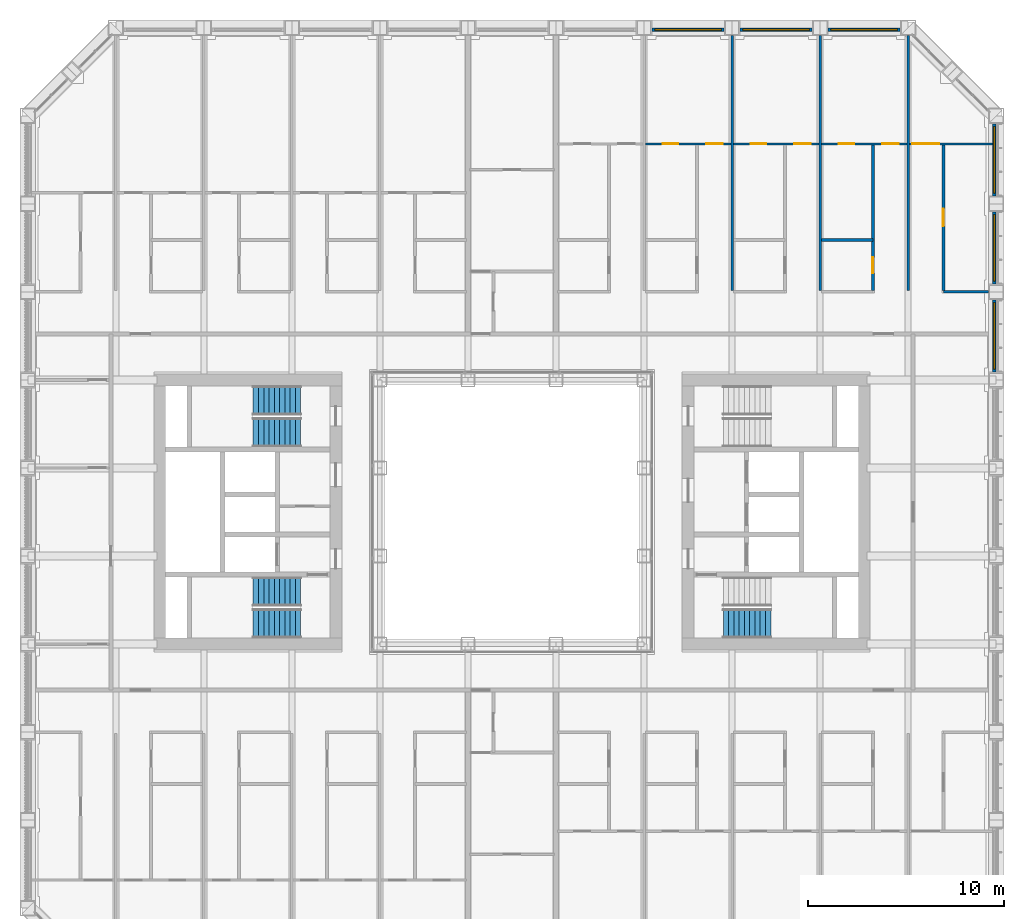
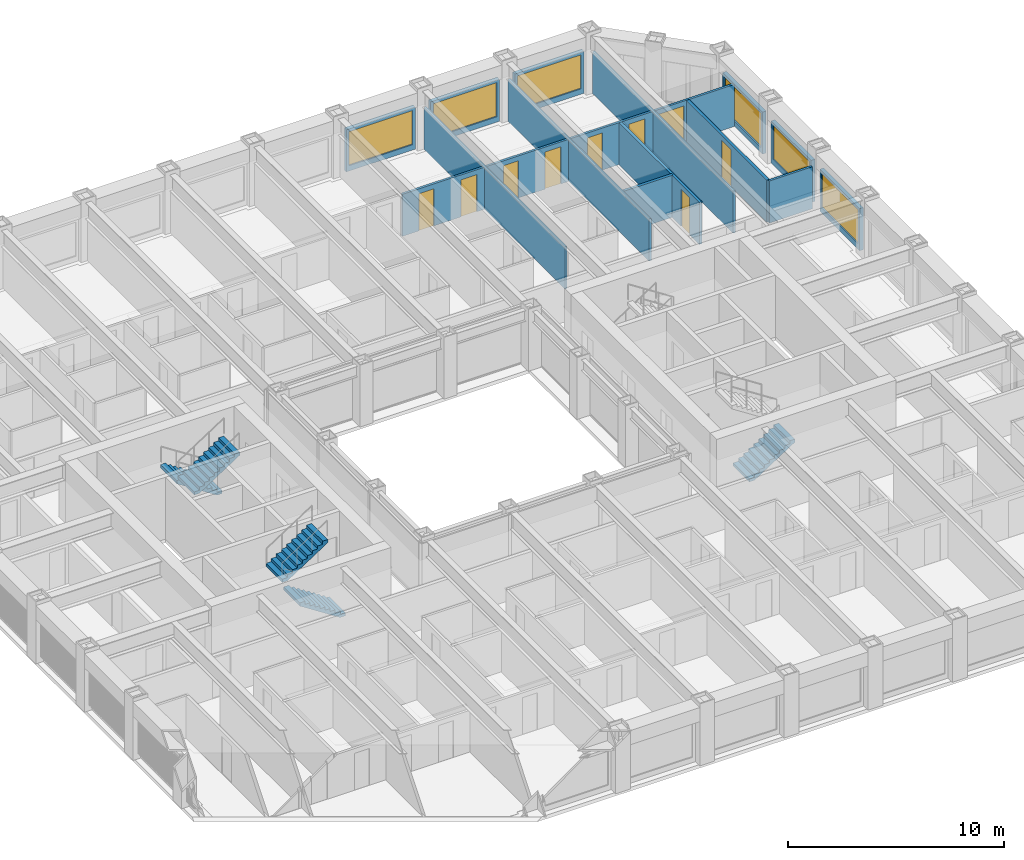
# One storey, part 15 of 21: 17 walls, 9 doors, 6 windows, 5 stair flights, 15 openings, 3 elements without a shape of their own.
"""IFC4 building model written with IfcOpenShell, lengths in metres."""

from ifc_helpers import new_model, si_unit, direction, frame, frame_2d, origin, place, context, subcontext, project, spatial, polyline, rectangle, outline, extrude, material, layer, layer_set, type_object, element, fill, aggregate, save


model = new_model("IFC4")

# Units and contexts
model_context = context("Model", 3, precision=1e-05, world=origin(), true_north=direction((0.0, 1.0)))
body_context = subcontext(model_context, "Body", "Model", "MODEL_VIEW")
ifc_project = project(units=[si_unit("LENGTHUNIT", "METRE"), si_unit("AREAUNIT", "SQUARE_METRE"), si_unit("VOLUMEUNIT", "CUBIC_METRE"), si_unit("PLANEANGLEUNIT", "RADIAN"), si_unit("MASSUNIT", "GRAM", prefix="KILO")], contexts=[model_context])

# Site, building, storey
site_placement = place(None, origin())
site = spatial("IfcSite", under=ifc_project, at=site_placement, CompositionType="ELEMENT")
building_placement = place(site_placement, origin())
building = spatial("IfcBuilding", under=site, at=building_placement, Name="Msasa Ring Tower", CompositionType="ELEMENT")
storey_placement = place(building_placement, frame((0.0, 0.0, 100.0)))
storey = spatial("IfcBuildingStorey", under=building, at=storey_placement, Name="L26", CompositionType="ELEMENT", Elevation=100.0)

# Wall, opening, window
ifc_material_1 = material(Name="Terracotta rainscreen on blockwork", Category="masonry")
ifc_layer_1 = layer(ifc_material_1, 0.199951171875)
ifc_layer_set_1 = layer_set([ifc_layer_1], Name="FW1 TERRACOTTA-LINED INFILL BAY WALL 200")
wall_type_1 = type_object("IfcWallType", Name="FW1 TERRACOTTA-LINED INFILL BAY WALL 200", PredefinedType="SOLIDWALL", material=ifc_layer_set_1)
wall_1_placement = place(storey_placement, frame((24.64990234375, 7.155029296875, 0.0), z_axis=(0.0, 0.0, 1.0), x_axis=(0.0, 1.0, 0.0)))
wall_1 = element("IfcWall", 1, at=wall_1_placement, inside=storey, type_object=wall_type_1, Name="Infill bay wall E L26 17", PredefinedType="SOLIDWALL", context=body_context, shape_type="SweptSolid", body=[
    extrude(rectangle(XDim=3.68994140625, YDim=0.199951171875, at=frame_2d((1.844970703125, 0.0))), origin(), (0.0, 0.0, 1.0), 2.37890625),
])
opening_1_placement = place(wall_1_placement, frame((0.14501953125, 0.0, 0.300048828125)))
opening_1 = element("IfcOpeningElement", 2, at=opening_1_placement, cuts=wall_1, Name="Opening WN1", PredefinedType="OPENING", context=body_context, shape_type="SweptSolid", body=[
    extrude(rectangle(XDim=3.39990234375, YDim=1.928955078125, at=frame_2d((1.699951171875, 0.96435546875))), frame((0.0, 0.10986328125, 0.0), z_axis=(0.0, -1.0, 0.0), x_axis=(1.0, 0.0, 0.0)), (0.0, 0.0, 1.0), 0.219970703125),
])
ifc_material_2 = material(Name="Aluminium frame with clear glass", Category="aluminium")
window_type = type_object("IfcWindowType", Name="WN1 RESIDENCE WINDOW 3400x1929", PartitioningType="SINGLE_PANEL", PredefinedType="WINDOW", material=ifc_material_2)
window_1_placement = place(opening_1_placement, origin())
window_1 = element("IfcWindow", 3, at=window_1_placement, inside=storey, type_object=window_type, Name="Window E L26 17", OverallHeight=1.928955078125, OverallWidth=3.39990234375, PartitioningType="SINGLE_PANEL", PredefinedType="WINDOW", context=body_context, shape_type="SweptSolid", body=[
    extrude(rectangle(XDim=3.39990234375, YDim=1.928955078125, at=frame_2d((1.699951171875, 0.96435546875))), frame((0.0, 0.030029296875, 0.0), z_axis=(0.0, -1.0, 0.0), x_axis=(1.0, 0.0, 0.0)), (0.0, 0.0, 1.0), 0.06005859375),
])
fill(opening_1, window_1)

wall_2_placement = place(storey_placement, frame((24.64990234375, 11.655029296875, 0.0), z_axis=(0.0, 0.0, 1.0), x_axis=(0.0, 1.0, 0.0)))
wall_2 = element("IfcWall", 4, at=wall_2_placement, inside=storey, type_object=wall_type_1, Name="Infill bay wall E L26 18", PredefinedType="SOLIDWALL", context=body_context, shape_type="SweptSolid", body=[
    extrude(rectangle(XDim=3.68994140625, YDim=0.199951171875, at=frame_2d((1.844970703125, 0.0))), origin(), (0.0, 0.0, 1.0), 2.37890625),
])
opening_2_placement = place(wall_2_placement, frame((0.14501953125, 0.0, 0.300048828125)))
opening_2 = element("IfcOpeningElement", 5, at=opening_2_placement, cuts=wall_2, Name="Opening WN1", PredefinedType="OPENING", context=body_context, shape_type="SweptSolid", body=[
    extrude(rectangle(XDim=3.39990234375, YDim=1.928955078125, at=frame_2d((1.699951171875, 0.96435546875))), frame((0.0, 0.10986328125, 0.0), z_axis=(0.0, -1.0, 0.0), x_axis=(1.0, 0.0, 0.0)), (0.0, 0.0, 1.0), 0.219970703125),
])
window_2_placement = place(opening_2_placement, origin())
window_2 = element("IfcWindow", 6, at=window_2_placement, inside=storey, type_object=window_type, Name="Window E L26 18", OverallHeight=1.928955078125, OverallWidth=3.39990234375, PartitioningType="SINGLE_PANEL", PredefinedType="WINDOW", context=body_context, shape_type="SweptSolid", body=[
    extrude(rectangle(XDim=3.39990234375, YDim=1.928955078125, at=frame_2d((1.699951171875, 0.96435546875))), frame((0.0, 0.030029296875, 0.0), z_axis=(0.0, -1.0, 0.0), x_axis=(1.0, 0.0, 0.0)), (0.0, 0.0, 1.0), 0.06005859375),
])
fill(opening_2, window_2)

wall_3_placement = place(storey_placement, frame((24.64990234375, 16.155029296875, 0.0), z_axis=(0.0, 0.0, 1.0), x_axis=(0.0, 1.0, 0.0)))
wall_3 = element("IfcWall", 7, at=wall_3_placement, inside=storey, type_object=wall_type_1, Name="Infill bay wall E L26 19", PredefinedType="SOLIDWALL", context=body_context, shape_type="SweptSolid", body=[
    extrude(rectangle(XDim=3.68994140625, YDim=0.199951171875, at=frame_2d((1.844970703125, 0.0))), origin(), (0.0, 0.0, 1.0), 2.37890625),
])
opening_3_placement = place(wall_3_placement, frame((0.14501953125, 0.0, 0.300048828125)))
opening_3 = element("IfcOpeningElement", 8, at=opening_3_placement, cuts=wall_3, Name="Opening WN1", PredefinedType="OPENING", context=body_context, shape_type="SweptSolid", body=[
    extrude(rectangle(XDim=3.39990234375, YDim=1.928955078125, at=frame_2d((1.699951171875, 0.96435546875))), frame((0.0, 0.10986328125, 0.0), z_axis=(0.0, -1.0, 0.0), x_axis=(1.0, 0.0, 0.0)), (0.0, 0.0, 1.0), 0.219970703125),
])
window_3_placement = place(opening_3_placement, origin())
window_3 = element("IfcWindow", 9, at=window_3_placement, inside=storey, type_object=window_type, Name="Window E L26 19", OverallHeight=1.928955078125, OverallWidth=3.39990234375, PartitioningType="SINGLE_PANEL", PredefinedType="WINDOW", context=body_context, shape_type="SweptSolid", body=[
    extrude(rectangle(XDim=3.39990234375, YDim=1.928955078125, at=frame_2d((1.699951171875, 0.96435546875))), frame((0.0, 0.030029296875, 0.0), z_axis=(0.0, -1.0, 0.0), x_axis=(1.0, 0.0, 0.0)), (0.0, 0.0, 1.0), 0.06005859375),
])
fill(opening_3, window_3)

wall_4_placement = place(storey_placement, frame((7.155029296875, 24.64990234375, 0.0), z_axis=(0.0, 0.0, 1.0), x_axis=(1.0, 0.0, 0.0)))
wall_4 = element("IfcWall", 10, at=wall_4_placement, inside=storey, type_object=wall_type_1, Name="Infill bay wall N L26 28", PredefinedType="SOLIDWALL", context=body_context, shape_type="SweptSolid", body=[
    extrude(rectangle(XDim=3.68994140625, YDim=0.199951171875, at=frame_2d((1.844970703125, 0.0))), origin(), (0.0, 0.0, 1.0), 2.37890625),
])
opening_4_placement = place(wall_4_placement, frame((0.14501953125, 0.0, 0.300048828125)))
opening_4 = element("IfcOpeningElement", 11, at=opening_4_placement, cuts=wall_4, Name="Opening WN1", PredefinedType="OPENING", context=body_context, shape_type="SweptSolid", body=[
    extrude(rectangle(XDim=3.39990234375, YDim=1.928955078125, at=frame_2d((1.699951171875, 0.96435546875))), frame((0.0, 0.10986328125, 0.0), z_axis=(0.0, -1.0, 0.0), x_axis=(1.0, 0.0, 0.0)), (0.0, 0.0, 1.0), 0.219970703125),
])
window_4_placement = place(opening_4_placement, origin())
window_4 = element("IfcWindow", 12, at=window_4_placement, inside=storey, type_object=window_type, Name="Window N L26 28", OverallHeight=1.928955078125, OverallWidth=3.39990234375, PartitioningType="SINGLE_PANEL", PredefinedType="WINDOW", context=body_context, shape_type="SweptSolid", body=[
    extrude(rectangle(XDim=3.39990234375, YDim=1.928955078125, at=frame_2d((1.699951171875, 0.96435546875))), frame((0.0, 0.030029296875, 0.0), z_axis=(0.0, -1.0, 0.0), x_axis=(1.0, 0.0, 0.0)), (0.0, 0.0, 1.0), 0.06005859375),
])
fill(opening_4, window_4)

wall_5_placement = place(storey_placement, frame((11.655029296875, 24.64990234375, 0.0), z_axis=(0.0, 0.0, 1.0), x_axis=(1.0, 0.0, 0.0)))
wall_5 = element("IfcWall", 13, at=wall_5_placement, inside=storey, type_object=wall_type_1, Name="Infill bay wall N L26 29", PredefinedType="SOLIDWALL", context=body_context, shape_type="SweptSolid", body=[
    extrude(rectangle(XDim=3.68994140625, YDim=0.199951171875, at=frame_2d((1.844970703125, 0.0))), origin(), (0.0, 0.0, 1.0), 2.37890625),
])
opening_5_placement = place(wall_5_placement, frame((0.14501953125, 0.0, 0.300048828125)))
opening_5 = element("IfcOpeningElement", 14, at=opening_5_placement, cuts=wall_5, Name="Opening WN1", PredefinedType="OPENING", context=body_context, shape_type="SweptSolid", body=[
    extrude(rectangle(XDim=3.39990234375, YDim=1.928955078125, at=frame_2d((1.699951171875, 0.96435546875))), frame((0.0, 0.10986328125, 0.0), z_axis=(0.0, -1.0, 0.0), x_axis=(1.0, 0.0, 0.0)), (0.0, 0.0, 1.0), 0.219970703125),
])
window_5_placement = place(opening_5_placement, origin())
window_5 = element("IfcWindow", 15, at=window_5_placement, inside=storey, type_object=window_type, Name="Window N L26 29", OverallHeight=1.928955078125, OverallWidth=3.39990234375, PartitioningType="SINGLE_PANEL", PredefinedType="WINDOW", context=body_context, shape_type="SweptSolid", body=[
    extrude(rectangle(XDim=3.39990234375, YDim=1.928955078125, at=frame_2d((1.699951171875, 0.96435546875))), frame((0.0, 0.030029296875, 0.0), z_axis=(0.0, -1.0, 0.0), x_axis=(1.0, 0.0, 0.0)), (0.0, 0.0, 1.0), 0.06005859375),
])
fill(opening_5, window_5)

wall_6_placement = place(storey_placement, frame((16.155029296875, 24.64990234375, 0.0), z_axis=(0.0, 0.0, 1.0), x_axis=(1.0, 0.0, 0.0)))
wall_6 = element("IfcWall", 16, at=wall_6_placement, inside=storey, type_object=wall_type_1, Name="Infill bay wall N L26 30", PredefinedType="SOLIDWALL", context=body_context, shape_type="SweptSolid", body=[
    extrude(rectangle(XDim=3.68994140625, YDim=0.199951171875, at=frame_2d((1.844970703125, 0.0))), origin(), (0.0, 0.0, 1.0), 2.37890625),
])
opening_6_placement = place(wall_6_placement, frame((0.14501953125, 0.0, 0.300048828125)))
opening_6 = element("IfcOpeningElement", 17, at=opening_6_placement, cuts=wall_6, Name="Opening WN1", PredefinedType="OPENING", context=body_context, shape_type="SweptSolid", body=[
    extrude(rectangle(XDim=3.39990234375, YDim=1.928955078125, at=frame_2d((1.699951171875, 0.96435546875))), frame((0.0, 0.10986328125, 0.0), z_axis=(0.0, -1.0, 0.0), x_axis=(1.0, 0.0, 0.0)), (0.0, 0.0, 1.0), 0.219970703125),
])
window_6_placement = place(opening_6_placement, origin())
window_6 = element("IfcWindow", 18, at=window_6_placement, inside=storey, type_object=window_type, Name="Window N L26 30", OverallHeight=1.928955078125, OverallWidth=3.39990234375, PartitioningType="SINGLE_PANEL", PredefinedType="WINDOW", context=body_context, shape_type="SweptSolid", body=[
    extrude(rectangle(XDim=3.39990234375, YDim=1.928955078125, at=frame_2d((1.699951171875, 0.96435546875))), frame((0.0, 0.030029296875, 0.0), z_axis=(0.0, -1.0, 0.0), x_axis=(1.0, 0.0, 0.0)), (0.0, 0.0, 1.0), 0.06005859375),
])
fill(opening_6, window_6)

# Wall, opening, door
ifc_material_3 = material(Name="Moisture-resistant board on steel studs with a concealed cistern and pipe void, tiled", Category="steel")
ifc_layer_2 = layer(ifc_material_3, 0.14990234375)
ifc_layer_set_2 = layer_set([ifc_layer_2], Name="PT4 BATHROOM WET WALL 150")
wall_type_2 = type_object("IfcWallType", Name="PT4 BATHROOM WET WALL 150", PredefinedType="PARTITIONING", material=ifc_layer_set_2)
wall_7_placement = place(storey_placement, frame((22.050048828125, 11.3125, 0.0), z_axis=(0.0, 0.0, 1.0), x_axis=(0.0, 1.0, 0.0)))
wall_7 = element("IfcWall", 19, at=wall_7_placement, inside=storey, type_object=wall_type_2, Name="Partition L26-UN02SX0", PredefinedType="PARTITIONING", context=body_context, shape_type="SweptSolid", body=[
    extrude(rectangle(XDim=7.5, YDim=0.14990234375, at=frame_2d((3.75, 0.0))), origin(), (0.0, 0.0, 1.0), 2.373291015625),
])
opening_7_placement = place(wall_7_placement, frame((3.300048828125, 0.0, 0.0)))
opening_7 = element("IfcOpeningElement", 20, at=opening_7_placement, cuts=wall_7, Name="Opening RH-020", PredefinedType="OPENING", context=body_context, shape_type="SweptSolid", body=[
    extrude(rectangle(XDim=0.89990234375, YDim=2.10009765625, at=frame_2d((0.449951171875, 1.050048828125))), frame((0.0, 0.0849609375, 0.0), z_axis=(0.0, -1.0, 0.0), x_axis=(1.0, 0.0, 0.0)), (0.0, 0.0, 1.0), 0.169921875),
])
ifc_material_4 = material(Name="Timber door leaf in a steel frame", Category="steel")
door_type_1 = type_object("IfcDoorType", Name="D22 INTERNAL HALL DOOR 900x2100", OperationType="SINGLE_SWING_LEFT", PredefinedType="DOOR", material=ifc_material_4)
door_1_placement = place(opening_7_placement, origin())
door_1 = element("IfcDoor", 21, at=door_1_placement, inside=storey, type_object=door_type_1, Name="Door L26-UN02K", OperationType="SINGLE_SWING_LEFT", OverallHeight=2.10009765625, OverallWidth=0.89990234375, PredefinedType="DOOR", context=body_context, shape_type="SweptSolid", body=[
    extrude(rectangle(XDim=0.89990234375, YDim=2.10009765625, at=frame_2d((0.449951171875, 1.050048828125))), frame((0.0, 0.02490234375, 0.0), z_axis=(0.0, -1.0, 0.0), x_axis=(1.0, 0.0, 0.0)), (0.0, 0.0, 1.0), 0.050048828125),
])
fill(opening_7, door_1)

wall_8_placement = place(storey_placement, frame((18.449951171875, 11.3125, 0.0), z_axis=(0.0, 0.0, 1.0), x_axis=(0.0, 1.0, 0.0)))
wall_8 = element("IfcWall", 22, at=wall_8_placement, inside=storey, type_object=wall_type_2, Name="Partition L26-UN02SX1", PredefinedType="PARTITIONING", context=body_context, shape_type="SweptSolid", body=[
    extrude(rectangle(XDim=7.5, YDim=0.14990234375, at=frame_2d((3.75, 0.0))), origin(), (0.0, 0.0, 1.0), 2.373291015625),
])
opening_8_placement = place(wall_8_placement, frame((0.89990234375, 0.0, 0.0)))
opening_8 = element("IfcOpeningElement", 23, at=opening_8_placement, cuts=wall_8, Name="Opening RH-029", PredefinedType="OPENING", context=body_context, shape_type="SweptSolid", body=[
    extrude(rectangle(XDim=0.800048828125, YDim=2.10009765625, at=frame_2d((0.39990234375, 1.050048828125))), frame((0.0, 0.0849609375, 0.0), z_axis=(0.0, -1.0, 0.0), x_axis=(1.0, 0.0, 0.0)), (0.0, 0.0, 1.0), 0.169921875),
])
ifc_material_5 = material(Name="Timber door leaf in a steel frame", Category="steel")
door_type_2 = type_object("IfcDoorType", Name="D21 POCKET SLIDING BATHROOM DOOR 800x2100", OperationType="SINGLE_SWING_LEFT", PredefinedType="DOOR", material=ifc_material_5)
door_2_placement = place(opening_8_placement, origin())
door_2 = element("IfcDoor", 24, at=door_2_placement, inside=storey, type_object=door_type_2, Name="Door L26-UN02B1", OperationType="SINGLE_SWING_LEFT", OverallHeight=2.10009765625, OverallWidth=0.800048828125, PredefinedType="DOOR", context=body_context, shape_type="SweptSolid", body=[
    extrude(rectangle(XDim=0.800048828125, YDim=2.10009765625, at=frame_2d((0.39990234375, 1.050048828125))), frame((0.0, 0.02490234375, 0.0), z_axis=(0.0, -1.0, 0.0), x_axis=(1.0, 0.0, 0.0)), (0.0, 0.0, 1.0), 0.050048828125),
])
fill(opening_8, door_2)

# Walls
wall_9_placement = place(storey_placement, frame((15.8125, 13.91259765625, 0.0), z_axis=(0.0, 0.0, 1.0), x_axis=(1.0, 0.0, 0.0)))
element("IfcWall", 25, at=wall_9_placement, inside=storey, type_object=wall_type_2, Name="Partition L26-UN02SB1", PredefinedType="PARTITIONING", context=body_context, shape_type="SweptSolid", body=[
    extrude(rectangle(XDim=2.637451171875, YDim=0.14990234375, at=frame_2d((1.31884765625, 0.0))), origin(), (0.0, 0.0, 1.0), 2.373291015625),
])
ifc_material_6 = material(Name="Two layers of acoustic board each face on steel studs, mineral wool", Category="steel")
ifc_layer_3 = layer(ifc_material_6, 0.125)
ifc_layer_set_3 = layer_set([ifc_layer_3], Name="PT6 ACOUSTIC DOUBLE-BOARD PARTITION 125")
wall_type_3 = type_object("IfcWallType", Name="PT6 ACOUSTIC DOUBLE-BOARD PARTITION 125", PredefinedType="PARTITIONING", material=ifc_layer_set_3)
wall_10_placement = place(storey_placement, frame((22.050048828125, 11.25, 0.0), z_axis=(0.0, 0.0, 1.0), x_axis=(1.0, 0.0, 0.0)))
element("IfcWall", 26, at=wall_10_placement, inside=storey, type_object=wall_type_3, Name="Partition L26-UN02HY0", PredefinedType="PARTITIONING", context=body_context, shape_type="SweptSolid", body=[
    extrude(rectangle(XDim=2.300048828125, YDim=0.125, at=frame_2d((1.14990234375, 0.0))), origin(), (0.0, 0.0, 1.0), 2.373291015625),
])

# Wall, opening, door
wall_11_placement = place(storey_placement, frame((20.3125, 18.8125, 0.0), z_axis=(0.0, 0.0, 1.0), x_axis=(1.0, 0.0, 0.0)))
wall_11 = element("IfcWall", 27, at=wall_11_placement, inside=storey, type_object=wall_type_3, Name="Partition L26-UN02SY0", PredefinedType="PARTITIONING", context=body_context, shape_type="SweptSolid", body=[
    extrude(rectangle(XDim=4.237548828125, YDim=0.125, at=frame_2d((2.11865234375, 0.0))), origin(), (0.0, 0.0, 1.0), 2.373291015625),
])
opening_9_placement = place(wall_11_placement, frame((0.137451171875, 0.0, 0.0)))
opening_9 = element("IfcOpeningElement", 28, at=opening_9_placement, cuts=wall_11, Name="Opening RH-009", PredefinedType="OPENING", context=body_context, shape_type="SweptSolid", body=[
    extrude(rectangle(XDim=1.39990234375, YDim=2.10009765625, at=frame_2d((0.699951171875, 1.050048828125))), frame((0.0, 0.072509765625, 0.0), z_axis=(0.0, -1.0, 0.0), x_axis=(1.0, 0.0, 0.0)), (0.0, 0.0, 1.0), 0.14501953125),
])
ifc_material_7 = material(Name="Timber door leaf in a steel frame", Category="steel")
door_type_3 = type_object("IfcDoorType", Name="D15 LIVING ROOM PAIR OF GLAZED DOORS 1400x2100", OperationType="SINGLE_SWING_LEFT", PredefinedType="DOOR", material=ifc_material_7)
door_3_placement = place(opening_9_placement, origin())
door_3 = element("IfcDoor", 29, at=door_3_placement, inside=storey, type_object=door_type_3, Name="Door L26-UN02L", OperationType="SINGLE_SWING_LEFT", OverallHeight=2.10009765625, OverallWidth=1.39990234375, PredefinedType="DOOR", context=body_context, shape_type="SweptSolid", body=[
    extrude(rectangle(XDim=1.39990234375, YDim=2.10009765625, at=frame_2d((0.699951171875, 1.050048828125))), frame((0.0, 0.02490234375, 0.0), z_axis=(0.0, -1.0, 0.0), x_axis=(1.0, 0.0, 0.0)), (0.0, 0.0, 1.0), 0.050048828125),
])
fill(opening_9, door_3)

# Wall
wall_12_placement = place(storey_placement, frame((20.25, 11.3125, 0.0), z_axis=(0.0, 0.0, 1.0), x_axis=(0.0, 1.0, 0.0)))
element("IfcWall", 30, at=wall_12_placement, inside=storey, type_object=wall_type_3, Name="Partition L26-UN02P1", PredefinedType="PARTITIONING", context=body_context, shape_type="SweptSolid", body=[
    extrude(rectangle(XDim=13.03759765625, YDim=0.125, at=frame_2d((6.518798828125, 0.0))), origin(), (0.0, 0.0, 1.0), 2.373291015625),
])

# Wall, openings, doors
wall_13_placement = place(storey_placement, frame((15.8125, 18.8125, 0.0), z_axis=(0.0, 0.0, 1.0), x_axis=(1.0, 0.0, 0.0)))
wall_13 = element("IfcWall", 31, at=wall_13_placement, inside=storey, type_object=wall_type_3, Name="Partition L26-UN02SY1", PredefinedType="PARTITIONING", context=body_context, shape_type="SweptSolid", body=[
    extrude(rectangle(XDim=4.375, YDim=0.125, at=frame_2d((2.1875, 0.0))), origin(), (0.0, 0.0, 1.0), 2.373291015625),
])
opening_10_placement = place(wall_13_placement, frame((3.112548828125, 0.0, 0.0)))
opening_10 = element("IfcOpeningElement", 32, at=opening_10_placement, cuts=wall_13, Name="Opening RH-008", PredefinedType="OPENING", context=body_context, shape_type="SweptSolid", body=[
    extrude(rectangle(XDim=0.85009765625, YDim=2.10009765625, at=frame_2d((0.425048828125, 1.050048828125))), frame((0.0, 0.072509765625, 0.0), z_axis=(0.0, -1.0, 0.0), x_axis=(1.0, 0.0, 0.0)), (0.0, 0.0, 1.0), 0.14501953125),
])
opening_11_placement = place(wall_13_placement, frame((0.88134765625, 0.0, 0.0)))
opening_11 = element("IfcOpeningElement", 33, at=opening_11_placement, cuts=wall_13, Name="Opening RH-007", PredefinedType="OPENING", context=body_context, shape_type="SweptSolid", body=[
    extrude(rectangle(XDim=0.800048828125, YDim=2.10009765625, at=frame_2d((0.39990234375, 1.050048828125))), frame((0.0, 0.072509765625, 0.0), z_axis=(0.0, -1.0, 0.0), x_axis=(1.0, 0.0, 0.0)), (0.0, 0.0, 1.0), 0.14501953125),
])
ifc_material_8 = material(Name="Timber door leaf in a steel frame", Category="steel")
door_type_4 = type_object("IfcDoorType", Name="D14 BEDROOM DOOR 850x2100", OperationType="SINGLE_SWING_LEFT", PredefinedType="DOOR", material=ifc_material_8)
door_4_placement = place(opening_10_placement, origin())
door_4 = element("IfcDoor", 34, at=door_4_placement, inside=storey, type_object=door_type_4, Name="Door L26-UN02R1", OperationType="SINGLE_SWING_RIGHT", OverallHeight=2.10009765625, OverallWidth=0.85009765625, PredefinedType="DOOR", context=body_context, shape_type="SweptSolid", body=[
    extrude(rectangle(XDim=0.85009765625, YDim=2.10009765625, at=frame_2d((0.425048828125, 1.050048828125))), frame((0.0, 0.02490234375, 0.0), z_axis=(0.0, -1.0, 0.0), x_axis=(1.0, 0.0, 0.0)), (0.0, 0.0, 1.0), 0.050048828125),
])
fill(opening_10, door_4)
ifc_material_9 = material(Name="Timber door leaf in a steel frame", Category="steel")
door_type_5 = type_object("IfcDoorType", Name="D60 DRESSING ROOM DOOR 800x2100", OperationType="SINGLE_SWING_LEFT", PredefinedType="DOOR", material=ifc_material_9)
door_5_placement = place(opening_11_placement, origin())
door_5 = element("IfcDoor", 35, at=door_5_placement, inside=storey, type_object=door_type_5, Name="Door L26-UN02W1", OperationType="SINGLE_SWING_LEFT", OverallHeight=2.10009765625, OverallWidth=0.800048828125, PredefinedType="DOOR", context=body_context, shape_type="SweptSolid", body=[
    extrude(rectangle(XDim=0.800048828125, YDim=2.10009765625, at=frame_2d((0.39990234375, 1.050048828125))), frame((0.0, 0.02490234375, 0.0), z_axis=(0.0, -1.0, 0.0), x_axis=(1.0, 0.0, 0.0)), (0.0, 0.0, 1.0), 0.050048828125),
])
fill(opening_11, door_5)

# Wall
wall_14_placement = place(storey_placement, frame((15.75, 11.3125, 0.0), z_axis=(0.0, 0.0, 1.0), x_axis=(0.0, 1.0, 0.0)))
element("IfcWall", 36, at=wall_14_placement, inside=storey, type_object=wall_type_3, Name="Partition L26-UN02P2", PredefinedType="PARTITIONING", context=body_context, shape_type="SweptSolid", body=[
    extrude(rectangle(XDim=13.03759765625, YDim=0.125, at=frame_2d((6.518798828125, 0.0))), origin(), (0.0, 0.0, 1.0), 2.373291015625),
])

# Wall, openings, doors
wall_15_placement = place(storey_placement, frame((11.3125, 18.8125, 0.0), z_axis=(0.0, 0.0, 1.0), x_axis=(1.0, 0.0, 0.0)))
wall_15 = element("IfcWall", 37, at=wall_15_placement, inside=storey, type_object=wall_type_3, Name="Partition L26-UN02SY2", PredefinedType="PARTITIONING", context=body_context, shape_type="SweptSolid", body=[
    extrude(rectangle(XDim=4.375, YDim=0.125, at=frame_2d((2.1875, 0.0))), origin(), (0.0, 0.0, 1.0), 2.373291015625),
])
opening_12_placement = place(wall_15_placement, frame((3.112548828125, 0.0, 0.0)))
opening_12 = element("IfcOpeningElement", 38, at=opening_12_placement, cuts=wall_15, Name="Opening RH-006", PredefinedType="OPENING", context=body_context, shape_type="SweptSolid", body=[
    extrude(rectangle(XDim=0.85009765625, YDim=2.10009765625, at=frame_2d((0.425048828125, 1.050048828125))), frame((0.0, 0.072509765625, 0.0), z_axis=(0.0, -1.0, 0.0), x_axis=(1.0, 0.0, 0.0)), (0.0, 0.0, 1.0), 0.14501953125),
])
opening_13_placement = place(wall_15_placement, frame((0.88134765625, 0.0, 0.0)))
opening_13 = element("IfcOpeningElement", 39, at=opening_13_placement, cuts=wall_15, Name="Opening RH-005", PredefinedType="OPENING", context=body_context, shape_type="SweptSolid", body=[
    extrude(rectangle(XDim=0.800048828125, YDim=2.10009765625, at=frame_2d((0.39990234375, 1.050048828125))), frame((0.0, 0.072509765625, 0.0), z_axis=(0.0, -1.0, 0.0), x_axis=(1.0, 0.0, 0.0)), (0.0, 0.0, 1.0), 0.14501953125),
])
door_6_placement = place(opening_12_placement, origin())
door_6 = element("IfcDoor", 40, at=door_6_placement, inside=storey, type_object=door_type_4, Name="Door L26-UN02R2", OperationType="SINGLE_SWING_RIGHT", OverallHeight=2.10009765625, OverallWidth=0.85009765625, PredefinedType="DOOR", context=body_context, shape_type="SweptSolid", body=[
    extrude(rectangle(XDim=0.85009765625, YDim=2.10009765625, at=frame_2d((0.425048828125, 1.050048828125))), frame((0.0, 0.02490234375, 0.0), z_axis=(0.0, -1.0, 0.0), x_axis=(1.0, 0.0, 0.0)), (0.0, 0.0, 1.0), 0.050048828125),
])
fill(opening_12, door_6)
door_7_placement = place(opening_13_placement, origin())
door_7 = element("IfcDoor", 41, at=door_7_placement, inside=storey, type_object=door_type_5, Name="Door L26-UN02W2", OperationType="SINGLE_SWING_LEFT", OverallHeight=2.10009765625, OverallWidth=0.800048828125, PredefinedType="DOOR", context=body_context, shape_type="SweptSolid", body=[
    extrude(rectangle(XDim=0.800048828125, YDim=2.10009765625, at=frame_2d((0.39990234375, 1.050048828125))), frame((0.0, 0.02490234375, 0.0), z_axis=(0.0, -1.0, 0.0), x_axis=(1.0, 0.0, 0.0)), (0.0, 0.0, 1.0), 0.050048828125),
])
fill(opening_13, door_7)

# Wall
wall_16_placement = place(storey_placement, frame((11.25, 11.3125, 0.0), z_axis=(0.0, 0.0, 1.0), x_axis=(0.0, 1.0, 0.0)))
element("IfcWall", 42, at=wall_16_placement, inside=storey, type_object=wall_type_3, Name="Partition L26-UN02P3", PredefinedType="PARTITIONING", context=body_context, shape_type="SweptSolid", body=[
    extrude(rectangle(XDim=13.03759765625, YDim=0.125, at=frame_2d((6.518798828125, 0.0))), origin(), (0.0, 0.0, 1.0), 2.373291015625),
])

# Wall, openings, doors
wall_17_placement = place(storey_placement, frame((6.8125, 18.8125, 0.0), z_axis=(0.0, 0.0, 1.0), x_axis=(1.0, 0.0, 0.0)))
wall_17 = element("IfcWall", 43, at=wall_17_placement, inside=storey, type_object=wall_type_3, Name="Partition L26-UN02SY3", PredefinedType="PARTITIONING", context=body_context, shape_type="SweptSolid", body=[
    extrude(rectangle(XDim=4.375, YDim=0.125, at=frame_2d((2.1875, 0.0))), origin(), (0.0, 0.0, 1.0), 2.373291015625),
])
opening_14_placement = place(wall_17_placement, frame((3.112548828125, 0.0, 0.0)))
opening_14 = element("IfcOpeningElement", 44, at=opening_14_placement, cuts=wall_17, Name="Opening RH-004", PredefinedType="OPENING", context=body_context, shape_type="SweptSolid", body=[
    extrude(rectangle(XDim=0.85009765625, YDim=2.10009765625, at=frame_2d((0.425048828125, 1.050048828125))), frame((0.0, 0.072509765625, 0.0), z_axis=(0.0, -1.0, 0.0), x_axis=(1.0, 0.0, 0.0)), (0.0, 0.0, 1.0), 0.14501953125),
])
opening_15_placement = place(wall_17_placement, frame((0.88134765625, 0.0, 0.0)))
opening_15 = element("IfcOpeningElement", 45, at=opening_15_placement, cuts=wall_17, Name="Opening RH-003", PredefinedType="OPENING", context=body_context, shape_type="SweptSolid", body=[
    extrude(rectangle(XDim=0.800048828125, YDim=2.10009765625, at=frame_2d((0.39990234375, 1.050048828125))), frame((0.0, 0.072509765625, 0.0), z_axis=(0.0, -1.0, 0.0), x_axis=(1.0, 0.0, 0.0)), (0.0, 0.0, 1.0), 0.14501953125),
])
door_8_placement = place(opening_14_placement, origin())
door_8 = element("IfcDoor", 46, at=door_8_placement, inside=storey, type_object=door_type_4, Name="Door L26-UN02R3", OperationType="SINGLE_SWING_RIGHT", OverallHeight=2.10009765625, OverallWidth=0.85009765625, PredefinedType="DOOR", context=body_context, shape_type="SweptSolid", body=[
    extrude(rectangle(XDim=0.85009765625, YDim=2.10009765625, at=frame_2d((0.425048828125, 1.050048828125))), frame((0.0, 0.02490234375, 0.0), z_axis=(0.0, -1.0, 0.0), x_axis=(1.0, 0.0, 0.0)), (0.0, 0.0, 1.0), 0.050048828125),
])
fill(opening_14, door_8)
door_9_placement = place(opening_15_placement, origin())
door_9 = element("IfcDoor", 47, at=door_9_placement, inside=storey, type_object=door_type_5, Name="Door L26-UN02W3", OperationType="SINGLE_SWING_LEFT", OverallHeight=2.10009765625, OverallWidth=0.800048828125, PredefinedType="DOOR", context=body_context, shape_type="SweptSolid", body=[
    extrude(rectangle(XDim=0.800048828125, YDim=2.10009765625, at=frame_2d((0.39990234375, 1.050048828125))), frame((0.0, 0.02490234375, 0.0), z_axis=(0.0, -1.0, 0.0), x_axis=(1.0, 0.0, 0.0)), (0.0, 0.0, 1.0), 0.050048828125),
])
fill(opening_15, door_9)

# Stair, stair flight
ifc_material_10 = material(Name="Concrete C40/50", Category="concrete")
stair_type = type_object("IfcStairType", Name="STC CORE STAIR 20 RISERS 175", PredefinedType="HALF_TURN_STAIR", material=ifc_material_10)
stair_1_placement = place(storey_placement, origin())
stair_1 = element("IfcStair", 48, at=stair_1_placement, inside=storey, type_object=stair_type, Name="Core stair SEA L26", PredefinedType="HALF_TURN_STAIR")
ifc_material_11 = material(Name="Concrete C40/50", Category="concrete")
stair_flight_type = type_object("IfcStairFlightType", Name="ST12 CORE STAIR FLIGHT 1500 10 RISERS 175", PredefinedType="STRAIGHT", material=ifc_material_11)
stair_flight_1_placement = place(storey_placement, frame((10.800048828125, -5.699951171875, 0.0), z_axis=(0.0, 0.0, 1.0), x_axis=(1.0, 0.0, 0.0)))
stair_flight_1 = element("IfcStairFlight", 49, at=stair_flight_1_placement, type_object=stair_flight_type, Name="SEA flight 1", NumberOfRisers=10, NumberOfTreads=9, PredefinedType="STRAIGHT", RiserHeight=0.175, TreadLength=0.27, context=body_context, shape_type="SweptSolid", body=[
    extrude(outline(polyline([(0.0, 0.0), (0.0, 0.175048828125), (0.27001953125, 0.175048828125), (0.27001953125, 0.35009765625), (0.5400390625, 0.35009765625), (0.5400390625, 0.52490234375), (0.81005859375, 0.52490234375), (0.81005859375, 0.699951171875), (1.080078125, 0.699951171875), (1.080078125, 0.875), (1.35009765625, 0.875), (1.35009765625, 1.050048828125), (1.6201171875, 1.050048828125), (1.6201171875, 1.22509765625), (1.889892578125, 1.22509765625), (1.889892578125, 1.39990234375), (2.159912109375, 1.39990234375), (2.159912109375, 1.574951171875), (2.429931640625, 1.574951171875), (2.429931640625, 1.75), (2.429931640625, 1.396484375), (0.275634765625, 0.0), (0.0, 0.0)])), frame((0.0, 0.75, 0.0), z_axis=(0.0, -1.0, 0.0), x_axis=(1.0, 0.0, 0.0)), (0.0, 0.0, 1.0), 1.5),
])
aggregate(stair_1, [stair_flight_1])

# Stair, stair flights
stair_2_placement = place(storey_placement, origin())
stair_2 = element("IfcStair", 50, at=stair_2_placement, inside=storey, type_object=stair_type, Name="Core stair SWA L26", PredefinedType="HALF_TURN_STAIR")
stair_flight_2_placement = place(storey_placement, frame((-10.800048828125, -5.699951171875, 0.0), z_axis=(0.0, 0.0, 1.0), x_axis=(-1.0, 0.0, 0.0)))
stair_flight_2 = element("IfcStairFlight", 51, at=stair_flight_2_placement, type_object=stair_flight_type, Name="SWA flight 1", NumberOfRisers=10, NumberOfTreads=9, PredefinedType="STRAIGHT", RiserHeight=0.175, TreadLength=0.27, context=body_context, shape_type="SweptSolid", body=[
    extrude(outline(polyline([(0.0, 0.0), (0.0, 0.175048828125), (0.27001953125, 0.175048828125), (0.27001953125, 0.35009765625), (0.5400390625, 0.35009765625), (0.5400390625, 0.52490234375), (0.81005859375, 0.52490234375), (0.81005859375, 0.699951171875), (1.080078125, 0.699951171875), (1.080078125, 0.875), (1.35009765625, 0.875), (1.35009765625, 1.050048828125), (1.6201171875, 1.050048828125), (1.6201171875, 1.22509765625), (1.889892578125, 1.22509765625), (1.889892578125, 1.39990234375), (2.159912109375, 1.39990234375), (2.159912109375, 1.574951171875), (2.429931640625, 1.574951171875), (2.429931640625, 1.75), (2.429931640625, 1.396484375), (0.275634765625, 0.0), (0.0, 0.0)])), frame((0.0, 0.75, 0.0), z_axis=(0.0, -1.0, 0.0), x_axis=(1.0, 0.0, 0.0)), (0.0, 0.0, 1.0), 1.5),
])
stair_flight_3_placement = place(storey_placement, frame((-13.22998046875, -4.074951171875, 1.75), z_axis=(0.0, 0.0, 1.0), x_axis=(1.0, 0.0, 0.0)))
stair_flight_3 = element("IfcStairFlight", 52, at=stair_flight_3_placement, type_object=stair_flight_type, Name="SWA flight 2", NumberOfRisers=10, NumberOfTreads=9, PredefinedType="STRAIGHT", RiserHeight=0.175, TreadLength=0.27, context=body_context, shape_type="SweptSolid", body=[
    extrude(outline(polyline([(0.0, 0.0), (0.0, 0.175048828125), (0.27001953125, 0.175048828125), (0.27001953125, 0.35009765625), (0.5400390625, 0.35009765625), (0.5400390625, 0.52490234375), (0.81005859375, 0.52490234375), (0.81005859375, 0.699951171875), (1.080078125, 0.699951171875), (1.080078125, 0.875), (1.35009765625, 0.875), (1.35009765625, 1.050048828125), (1.6201171875, 1.050048828125), (1.6201171875, 1.22509765625), (1.889892578125, 1.22509765625), (1.889892578125, 1.39990234375), (2.159912109375, 1.39990234375), (2.159912109375, 1.574951171875), (2.429931640625, 1.574951171875), (2.429931640625, 1.75), (2.429931640625, 1.396484375), (0.275634765625, 0.0), (0.0, 0.0)])), frame((0.0, 0.75, 0.0), z_axis=(0.0, -1.0, 0.0), x_axis=(1.0, 0.0, 0.0)), (0.0, 0.0, 1.0), 1.5),
])
aggregate(stair_2, [stair_flight_2, stair_flight_3])

stair_3_placement = place(storey_placement, origin())
stair_3 = element("IfcStair", 53, at=stair_3_placement, inside=storey, type_object=stair_type, Name="Core stair SWB L26", PredefinedType="HALF_TURN_STAIR")
stair_flight_4_placement = place(storey_placement, frame((-10.800048828125, 5.699951171875, 0.0), z_axis=(0.0, 0.0, 1.0), x_axis=(-1.0, 0.0, 0.0)))
stair_flight_4 = element("IfcStairFlight", 54, at=stair_flight_4_placement, type_object=stair_flight_type, Name="SWB flight 1", NumberOfRisers=10, NumberOfTreads=9, PredefinedType="STRAIGHT", RiserHeight=0.175, TreadLength=0.27, context=body_context, shape_type="SweptSolid", body=[
    extrude(outline(polyline([(0.0, 0.0), (0.0, 0.175048828125), (0.27001953125, 0.175048828125), (0.27001953125, 0.35009765625), (0.5400390625, 0.35009765625), (0.5400390625, 0.52490234375), (0.81005859375, 0.52490234375), (0.81005859375, 0.699951171875), (1.080078125, 0.699951171875), (1.080078125, 0.875), (1.35009765625, 0.875), (1.35009765625, 1.050048828125), (1.6201171875, 1.050048828125), (1.6201171875, 1.22509765625), (1.889892578125, 1.22509765625), (1.889892578125, 1.39990234375), (2.159912109375, 1.39990234375), (2.159912109375, 1.574951171875), (2.429931640625, 1.574951171875), (2.429931640625, 1.75), (2.429931640625, 1.396484375), (0.275634765625, 0.0), (0.0, 0.0)])), frame((0.0, 0.75, 0.0), z_axis=(0.0, -1.0, 0.0), x_axis=(1.0, 0.0, 0.0)), (0.0, 0.0, 1.0), 1.5),
])
stair_flight_5_placement = place(storey_placement, frame((-13.22998046875, 4.074951171875, 1.75), z_axis=(0.0, 0.0, 1.0), x_axis=(1.0, 0.0, 0.0)))
stair_flight_5 = element("IfcStairFlight", 55, at=stair_flight_5_placement, type_object=stair_flight_type, Name="SWB flight 2", NumberOfRisers=10, NumberOfTreads=9, PredefinedType="STRAIGHT", RiserHeight=0.175, TreadLength=0.27, context=body_context, shape_type="SweptSolid", body=[
    extrude(outline(polyline([(0.0, 0.0), (0.0, 0.175048828125), (0.27001953125, 0.175048828125), (0.27001953125, 0.35009765625), (0.5400390625, 0.35009765625), (0.5400390625, 0.52490234375), (0.81005859375, 0.52490234375), (0.81005859375, 0.699951171875), (1.080078125, 0.699951171875), (1.080078125, 0.875), (1.35009765625, 0.875), (1.35009765625, 1.050048828125), (1.6201171875, 1.050048828125), (1.6201171875, 1.22509765625), (1.889892578125, 1.22509765625), (1.889892578125, 1.39990234375), (2.159912109375, 1.39990234375), (2.159912109375, 1.574951171875), (2.429931640625, 1.574951171875), (2.429931640625, 1.75), (2.429931640625, 1.396484375), (0.275634765625, 0.0), (0.0, 0.0)])), frame((0.0, 0.75, 0.0), z_axis=(0.0, -1.0, 0.0), x_axis=(1.0, 0.0, 0.0)), (0.0, 0.0, 1.0), 1.5),
])
aggregate(stair_3, [stair_flight_4, stair_flight_5])

save(model, "model.ifc")
